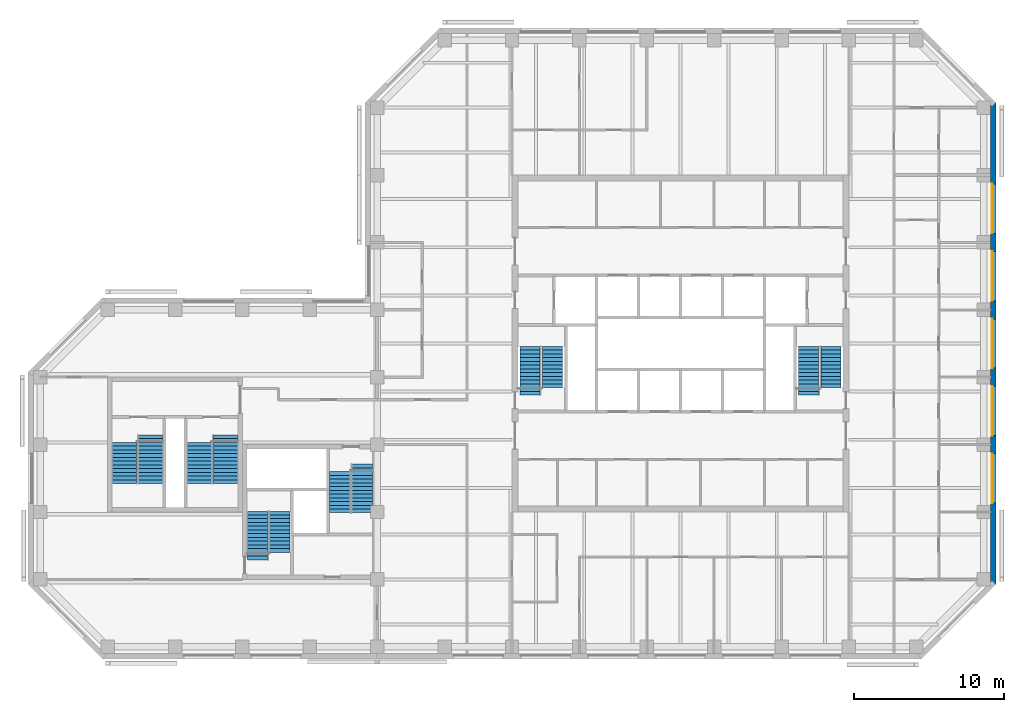
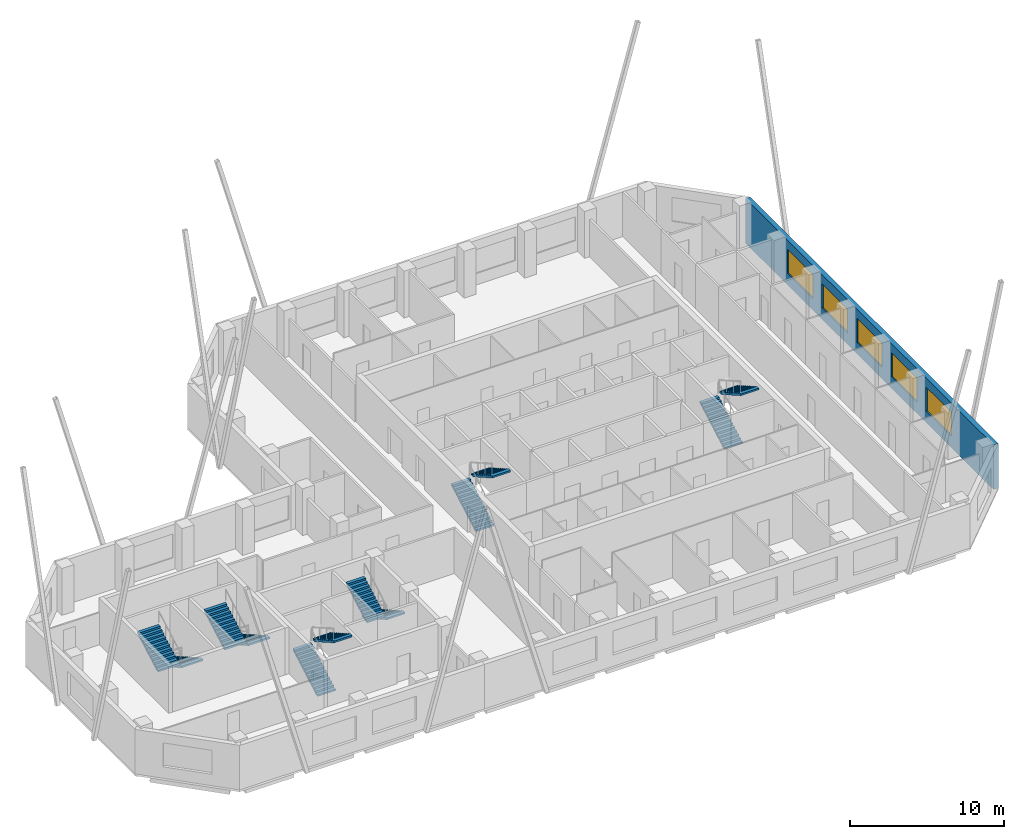
# One storey, part 8 of 9: 12 stair flights, 5 windows, 1 wall, 5 openings, 6 elements without a shape of their own.
"""IFC4 building model written with IfcOpenShell, lengths in metres."""

from ifc_helpers import new_model, si_unit, direction, frame, frame_2d, origin, place, context, subcontext, project, spatial, polyline, rectangle, outline, extrude, material, layer, layer_set, constituent, constituent_set, type_object, element, fill, aggregate, save


model = new_model("IFC4")

# Units and contexts
model_context = context("Model", 3, precision=1e-05, world=origin(), true_north=direction((0.0, 1.0)))
body_context = subcontext(model_context, "Body", "Model", "MODEL_VIEW")
ifc_project = project(units=[si_unit("LENGTHUNIT", "METRE"), si_unit("AREAUNIT", "SQUARE_METRE"), si_unit("VOLUMEUNIT", "CUBIC_METRE"), si_unit("PLANEANGLEUNIT", "RADIAN"), si_unit("MASSUNIT", "GRAM", prefix="KILO")], contexts=[model_context])

# Site, building, storey
site_placement = place(None, origin())
site = spatial("IfcSite", under=ifc_project, at=site_placement, CompositionType="ELEMENT")
building_placement = place(site_placement, origin())
building = spatial("IfcBuilding", under=site, at=building_placement, Name="Quoin Convention Tower", CompositionType="ELEMENT")
storey_placement = place(building_placement, frame((0.0, 0.0, 203.199951171875)))
storey = spatial("IfcBuildingStorey", under=building, at=storey_placement, Name="L53", CompositionType="ELEMENT", Elevation=203.199951171875)

# Wall, openings, windows
ifc_material_1 = material(Name="Brick masonry", Category="masonry")
ifc_layer = layer(ifc_material_1, 0.35009765625)
ifc_layer_set = layer_set([ifc_layer], Name="Brick masonry")
wall_type = type_object("IfcWallType", Name="Brick facade wall", PredefinedType="STANDARD", material=ifc_layer_set)
wall_placement = place(storey_placement, frame((77.125, 44.668701171875, 0.0), z_axis=(0.0, 0.0, 1.0), x_axis=(0.0, 1.0, 0.0)))
wall = element("IfcWall", 1, at=wall_placement, inside=storey, type_object=wall_type, Name="fw-L53-76500_45000", PredefinedType="STANDARD", context=body_context, shape_type="SweptSolid", body=[
    extrude(rectangle(XDim=32.16259765625, YDim=0.35009765625, at=frame_2d((16.081298828125, 0.0))), origin(), (0.0, 0.0, 1.0), 3.525146484375),
])
opening_1_placement = place(wall_placement, frame((5.431396484375, 0.0, 0.89990234375)))
opening_1 = element("IfcOpeningElement", 2, at=opening_1_placement, cuts=wall, Name="Opening W-02", PredefinedType="OPENING", context=body_context, shape_type="SweptSolid", body=[
    extrude(rectangle(XDim=3.300048828125, YDim=1.89990234375, at=frame_2d((1.64990234375, 0.949951171875))), frame((0.0, 0.18505859375, 0.0), z_axis=(0.0, -1.0, 0.0), x_axis=(1.0, 0.0, 0.0)), (0.0, 0.0, 1.0), 0.3701171875),
])
opening_2_placement = place(wall_placement, frame((9.931396484375, 0.0, 0.89990234375)))
opening_2 = element("IfcOpeningElement", 3, at=opening_2_placement, cuts=wall, Name="Opening W-02", PredefinedType="OPENING", context=body_context, shape_type="SweptSolid", body=[
    extrude(rectangle(XDim=3.300048828125, YDim=1.89990234375, at=frame_2d((1.64990234375, 0.949951171875))), frame((0.0, 0.18505859375, 0.0), z_axis=(0.0, -1.0, 0.0), x_axis=(1.0, 0.0, 0.0)), (0.0, 0.0, 1.0), 0.3701171875),
])
opening_3_placement = place(wall_placement, frame((14.431396484375, 0.0, 0.89990234375)))
opening_3 = element("IfcOpeningElement", 4, at=opening_3_placement, cuts=wall, Name="Opening W-02", PredefinedType="OPENING", context=body_context, shape_type="SweptSolid", body=[
    extrude(rectangle(XDim=3.300048828125, YDim=1.89990234375, at=frame_2d((1.64990234375, 0.949951171875))), frame((0.0, 0.18505859375, 0.0), z_axis=(0.0, -1.0, 0.0), x_axis=(1.0, 0.0, 0.0)), (0.0, 0.0, 1.0), 0.3701171875),
])
opening_4_placement = place(wall_placement, frame((18.931396484375, 0.0, 0.89990234375)))
opening_4 = element("IfcOpeningElement", 5, at=opening_4_placement, cuts=wall, Name="Opening W-02", PredefinedType="OPENING", context=body_context, shape_type="SweptSolid", body=[
    extrude(rectangle(XDim=3.300048828125, YDim=1.89990234375, at=frame_2d((1.64990234375, 0.949951171875))), frame((0.0, 0.18505859375, 0.0), z_axis=(0.0, -1.0, 0.0), x_axis=(1.0, 0.0, 0.0)), (0.0, 0.0, 1.0), 0.3701171875),
])
opening_5_placement = place(wall_placement, frame((23.431396484375, 0.0, 0.89990234375)))
opening_5 = element("IfcOpeningElement", 6, at=opening_5_placement, cuts=wall, Name="Opening W-02", PredefinedType="OPENING", context=body_context, shape_type="SweptSolid", body=[
    extrude(rectangle(XDim=3.300048828125, YDim=1.89990234375, at=frame_2d((1.64990234375, 0.949951171875))), frame((0.0, 0.18505859375, 0.0), z_axis=(0.0, -1.0, 0.0), x_axis=(1.0, 0.0, 0.0)), (0.0, 0.0, 1.0), 0.3701171875),
])
ifc_material_2 = material(Name="Aluminium", Category="aluminium")
ifc_constituent_1 = constituent(ifc_material_2, Name="Frame")
ifc_material_3 = material(Name="Insulated glass", Category="glass")
ifc_constituent_2 = constituent(ifc_material_3, Name="Glazing")
ifc_constituent_set = constituent_set(constituents=[ifc_constituent_1, ifc_constituent_2], Name="Aluminium")
window_type = type_object("IfcWindowType", Name="Office window", PartitioningType="DOUBLE_PANEL_VERTICAL", PredefinedType="WINDOW", material=ifc_constituent_set)
window_1_placement = place(opening_1_placement, origin())
window_1 = element("IfcWindow", 7, at=window_1_placement, inside=storey, type_object=window_type, Name="win-L53-77125_51750", OverallHeight=1.89990234375, OverallWidth=3.300048828125, PartitioningType="SINGLE_PANEL", PredefinedType="WINDOW", context=body_context, shape_type="SweptSolid", body=[
    extrude(rectangle(XDim=3.300048828125, YDim=1.89990234375, at=frame_2d((1.64990234375, 0.949951171875))), frame((0.0, 0.0849609375, 0.0), z_axis=(0.0, -1.0, 0.0), x_axis=(1.0, 0.0, 0.0)), (0.0, 0.0, 1.0), 0.06005859375),
])
fill(opening_1, window_1)
window_2_placement = place(opening_2_placement, origin())
window_2 = element("IfcWindow", 8, at=window_2_placement, inside=storey, type_object=window_type, Name="win-L53-77125_56250", OverallHeight=1.89990234375, OverallWidth=3.300048828125, PartitioningType="SINGLE_PANEL", PredefinedType="WINDOW", context=body_context, shape_type="SweptSolid", body=[
    extrude(rectangle(XDim=3.300048828125, YDim=1.89990234375, at=frame_2d((1.64990234375, 0.949951171875))), frame((0.0, 0.0849609375, 0.0), z_axis=(0.0, -1.0, 0.0), x_axis=(1.0, 0.0, 0.0)), (0.0, 0.0, 1.0), 0.06005859375),
])
fill(opening_2, window_2)
window_3_placement = place(opening_3_placement, origin())
window_3 = element("IfcWindow", 9, at=window_3_placement, inside=storey, type_object=window_type, Name="win-L53-77125_60750", OverallHeight=1.89990234375, OverallWidth=3.300048828125, PartitioningType="SINGLE_PANEL", PredefinedType="WINDOW", context=body_context, shape_type="SweptSolid", body=[
    extrude(rectangle(XDim=3.300048828125, YDim=1.89990234375, at=frame_2d((1.64990234375, 0.949951171875))), frame((0.0, 0.0849609375, 0.0), z_axis=(0.0, -1.0, 0.0), x_axis=(1.0, 0.0, 0.0)), (0.0, 0.0, 1.0), 0.06005859375),
])
fill(opening_3, window_3)
window_4_placement = place(opening_4_placement, origin())
window_4 = element("IfcWindow", 10, at=window_4_placement, inside=storey, type_object=window_type, Name="win-L53-77125_65250", OverallHeight=1.89990234375, OverallWidth=3.300048828125, PartitioningType="SINGLE_PANEL", PredefinedType="WINDOW", context=body_context, shape_type="SweptSolid", body=[
    extrude(rectangle(XDim=3.300048828125, YDim=1.89990234375, at=frame_2d((1.64990234375, 0.949951171875))), frame((0.0, 0.0849609375, 0.0), z_axis=(0.0, -1.0, 0.0), x_axis=(1.0, 0.0, 0.0)), (0.0, 0.0, 1.0), 0.06005859375),
])
fill(opening_4, window_4)
window_5_placement = place(opening_5_placement, origin())
window_5 = element("IfcWindow", 11, at=window_5_placement, inside=storey, type_object=window_type, Name="win-L53-77125_69750", OverallHeight=1.89990234375, OverallWidth=3.300048828125, PartitioningType="SINGLE_PANEL", PredefinedType="WINDOW", context=body_context, shape_type="SweptSolid", body=[
    extrude(rectangle(XDim=3.300048828125, YDim=1.89990234375, at=frame_2d((1.64990234375, 0.949951171875))), frame((0.0, 0.0849609375, 0.0), z_axis=(0.0, -1.0, 0.0), x_axis=(1.0, 0.0, 0.0)), (0.0, 0.0, 1.0), 0.06005859375),
])
fill(opening_5, window_5)

# Stair, stair flights
ifc_material_4 = material(Name="Concrete C40", Category="concrete")
stair_type_1 = type_object("IfcStairType", Name="Exit stair two-flight 1350", PredefinedType="HALF_TURN_STAIR", material=ifc_material_4)
stair_1_placement = place(storey_placement, origin())
stair_1 = element("IfcStair", 12, at=stair_1_placement, inside=storey, type_object=stair_type_1, Name="SD1 L53", PredefinedType="HALF_TURN_STAIR")
stair_flight_type_1 = type_object("IfcStairFlightType", Name="Stair flight 1350", PredefinedType="STRAIGHT", material=ifc_material_4)
stair_flight_1_placement = place(storey_placement, frame((46.199951171875, 57.300048828125, 0.0), z_axis=(0.0, 0.0, 1.0), x_axis=(0.0, 1.0, 0.0)))
stair_flight_1 = element("IfcStairFlight", 13, at=stair_flight_1_placement, type_object=stair_flight_type_1, Name="ST1 flight 1", NumberOfRisers=14, NumberOfTreads=13, PredefinedType="STRAIGHT", RiserHeight=0.142307692, TreadLength=0.25, context=body_context, shape_type="SweptSolid", body=[
    extrude(outline(polyline([(0.0, 0.0), (0.0, 0.142333984375), (0.25, 0.142333984375), (0.25, 0.28466796875), (0.5, 0.28466796875), (0.5, 0.427001953125), (0.75, 0.427001953125), (0.75, 0.5693359375), (1.0, 0.5693359375), (1.0, 0.71142578125), (1.25, 0.71142578125), (1.25, 0.853759765625), (1.5, 0.853759765625), (1.5, 0.99609375), (1.75, 0.99609375), (1.75, 1.138427734375), (2.0, 1.138427734375), (2.0, 1.28076171875), (2.25, 1.28076171875), (2.25, 1.423095703125), (2.5, 1.423095703125), (2.5, 1.5654296875), (2.75, 1.5654296875), (2.75, 1.707763671875), (3.0, 1.707763671875), (3.0, 1.85009765625), (3.25, 1.85009765625), (3.25, 1.9921875), (3.25, 1.711669921875), (0.242919921875, 0.0), (0.0, 0.0)])), frame((0.0, 0.675048828125, 0.0), z_axis=(0.0, -1.0, 0.0), x_axis=(1.0, 0.0, 0.0)), (0.0, 0.0, 1.0), 1.35009765625),
])
stair_flight_2_placement = place(storey_placement, frame((47.699951171875, 60.550048828125, 1.992431640625), z_axis=(0.0, 0.0, 1.0), x_axis=(0.0, -1.0, 0.0)))
stair_flight_2 = element("IfcStairFlight", 14, at=stair_flight_2_placement, type_object=stair_flight_type_1, Name="ST1 flight 2", NumberOfRisers=12, NumberOfTreads=11, PredefinedType="STRAIGHT", RiserHeight=0.142307692, TreadLength=0.25, context=body_context, shape_type="SweptSolid", body=[
    extrude(outline(polyline([(0.0, 0.0), (0.0, 0.142333984375), (0.25, 0.142333984375), (0.25, 0.28466796875), (0.5, 0.28466796875), (0.5, 0.427001953125), (0.75, 0.427001953125), (0.75, 0.5693359375), (1.0, 0.5693359375), (1.0, 0.71142578125), (1.25, 0.71142578125), (1.25, 0.853759765625), (1.5, 0.853759765625), (1.5, 0.99609375), (1.75, 0.99609375), (1.75, 1.138427734375), (2.0, 1.138427734375), (2.0, 1.28076171875), (2.25, 1.28076171875), (2.25, 1.423095703125), (2.5, 1.423095703125), (2.5, 1.5654296875), (2.75, 1.5654296875), (2.75, 1.707763671875), (2.75, 1.42724609375), (0.242919921875, 0.0), (0.0, 0.0)])), frame((0.0, 0.675048828125, 0.0), z_axis=(0.0, -1.0, 0.0), x_axis=(1.0, 0.0, 0.0)), (0.0, 0.0, 1.0), 1.35009765625),
])
aggregate(stair_1, [stair_flight_1, stair_flight_2])

stair_2_placement = place(storey_placement, origin())
stair_2 = element("IfcStair", 15, at=stair_2_placement, inside=storey, type_object=stair_type_1, Name="SD2 L53", PredefinedType="HALF_TURN_STAIR")
stair_flight_3_placement = place(storey_placement, frame((64.800048828125, 57.300048828125, 0.0), z_axis=(0.0, 0.0, 1.0), x_axis=(0.0, 1.0, 0.0)))
stair_flight_3 = element("IfcStairFlight", 16, at=stair_flight_3_placement, type_object=stair_flight_type_1, Name="ST2 flight 1", NumberOfRisers=14, NumberOfTreads=13, PredefinedType="STRAIGHT", RiserHeight=0.142307692, TreadLength=0.25, context=body_context, shape_type="SweptSolid", body=[
    extrude(outline(polyline([(0.0, 0.0), (0.0, 0.142333984375), (0.25, 0.142333984375), (0.25, 0.28466796875), (0.5, 0.28466796875), (0.5, 0.427001953125), (0.75, 0.427001953125), (0.75, 0.5693359375), (1.0, 0.5693359375), (1.0, 0.71142578125), (1.25, 0.71142578125), (1.25, 0.853759765625), (1.5, 0.853759765625), (1.5, 0.99609375), (1.75, 0.99609375), (1.75, 1.138427734375), (2.0, 1.138427734375), (2.0, 1.28076171875), (2.25, 1.28076171875), (2.25, 1.423095703125), (2.5, 1.423095703125), (2.5, 1.5654296875), (2.75, 1.5654296875), (2.75, 1.707763671875), (3.0, 1.707763671875), (3.0, 1.85009765625), (3.25, 1.85009765625), (3.25, 1.9921875), (3.25, 1.711669921875), (0.242919921875, 0.0), (0.0, 0.0)])), frame((0.0, 0.675048828125, 0.0), z_axis=(0.0, -1.0, 0.0), x_axis=(1.0, 0.0, 0.0)), (0.0, 0.0, 1.0), 1.35009765625),
])
stair_flight_4_placement = place(storey_placement, frame((66.300048828125, 60.550048828125, 1.992431640625), z_axis=(0.0, 0.0, 1.0), x_axis=(0.0, -1.0, 0.0)))
stair_flight_4 = element("IfcStairFlight", 17, at=stair_flight_4_placement, type_object=stair_flight_type_1, Name="ST2 flight 2", NumberOfRisers=12, NumberOfTreads=11, PredefinedType="STRAIGHT", RiserHeight=0.142307692, TreadLength=0.25, context=body_context, shape_type="SweptSolid", body=[
    extrude(outline(polyline([(0.0, 0.0), (0.0, 0.142333984375), (0.25, 0.142333984375), (0.25, 0.28466796875), (0.5, 0.28466796875), (0.5, 0.427001953125), (0.75, 0.427001953125), (0.75, 0.5693359375), (1.0, 0.5693359375), (1.0, 0.71142578125), (1.25, 0.71142578125), (1.25, 0.853759765625), (1.5, 0.853759765625), (1.5, 0.99609375), (1.75, 0.99609375), (1.75, 1.138427734375), (2.0, 1.138427734375), (2.0, 1.28076171875), (2.25, 1.28076171875), (2.25, 1.423095703125), (2.5, 1.423095703125), (2.5, 1.5654296875), (2.75, 1.5654296875), (2.75, 1.707763671875), (2.75, 1.42724609375), (0.242919921875, 0.0), (0.0, 0.0)])), frame((0.0, 0.675048828125, 0.0), z_axis=(0.0, -1.0, 0.0), x_axis=(1.0, 0.0, 0.0)), (0.0, 0.0, 1.0), 1.35009765625),
])
aggregate(stair_2, [stair_flight_3, stair_flight_4])

stair_3_placement = place(storey_placement, origin())
stair_3 = element("IfcStair", 18, at=stair_3_placement, inside=storey, type_object=stair_type_1, Name="SD3 L53", PredefinedType="HALF_TURN_STAIR")
stair_flight_5_placement = place(storey_placement, frame((28.0, 46.300048828125, 0.0), z_axis=(0.0, 0.0, 1.0), x_axis=(0.0, 1.0, 0.0)))
stair_flight_5 = element("IfcStairFlight", 19, at=stair_flight_5_placement, type_object=stair_flight_type_1, Name="ST3 flight 1", NumberOfRisers=14, NumberOfTreads=13, PredefinedType="STRAIGHT", RiserHeight=0.142307692, TreadLength=0.25, context=body_context, shape_type="SweptSolid", body=[
    extrude(outline(polyline([(0.0, 0.0), (0.0, 0.142333984375), (0.25, 0.142333984375), (0.25, 0.28466796875), (0.5, 0.28466796875), (0.5, 0.427001953125), (0.75, 0.427001953125), (0.75, 0.5693359375), (1.0, 0.5693359375), (1.0, 0.71142578125), (1.25, 0.71142578125), (1.25, 0.853759765625), (1.5, 0.853759765625), (1.5, 0.99609375), (1.75, 0.99609375), (1.75, 1.138427734375), (2.0, 1.138427734375), (2.0, 1.28076171875), (2.25, 1.28076171875), (2.25, 1.423095703125), (2.5, 1.423095703125), (2.5, 1.5654296875), (2.75, 1.5654296875), (2.75, 1.707763671875), (3.0, 1.707763671875), (3.0, 1.85009765625), (3.25, 1.85009765625), (3.25, 1.9921875), (3.25, 1.711669921875), (0.242919921875, 0.0), (0.0, 0.0)])), frame((0.0, 0.675048828125, 0.0), z_axis=(0.0, -1.0, 0.0), x_axis=(1.0, 0.0, 0.0)), (0.0, 0.0, 1.0), 1.35009765625),
])
stair_flight_6_placement = place(storey_placement, frame((29.5, 49.550048828125, 1.992431640625), z_axis=(0.0, 0.0, 1.0), x_axis=(0.0, -1.0, 0.0)))
stair_flight_6 = element("IfcStairFlight", 20, at=stair_flight_6_placement, type_object=stair_flight_type_1, Name="ST3 flight 2", NumberOfRisers=12, NumberOfTreads=11, PredefinedType="STRAIGHT", RiserHeight=0.142307692, TreadLength=0.25, context=body_context, shape_type="SweptSolid", body=[
    extrude(outline(polyline([(0.0, 0.0), (0.0, 0.142333984375), (0.25, 0.142333984375), (0.25, 0.28466796875), (0.5, 0.28466796875), (0.5, 0.427001953125), (0.75, 0.427001953125), (0.75, 0.5693359375), (1.0, 0.5693359375), (1.0, 0.71142578125), (1.25, 0.71142578125), (1.25, 0.853759765625), (1.5, 0.853759765625), (1.5, 0.99609375), (1.75, 0.99609375), (1.75, 1.138427734375), (2.0, 1.138427734375), (2.0, 1.28076171875), (2.25, 1.28076171875), (2.25, 1.423095703125), (2.5, 1.423095703125), (2.5, 1.5654296875), (2.75, 1.5654296875), (2.75, 1.707763671875), (2.75, 1.42724609375), (0.242919921875, 0.0), (0.0, 0.0)])), frame((0.0, 0.675048828125, 0.0), z_axis=(0.0, -1.0, 0.0), x_axis=(1.0, 0.0, 0.0)), (0.0, 0.0, 1.0), 1.35009765625),
])
aggregate(stair_3, [stair_flight_5, stair_flight_6])

stair_4_placement = place(storey_placement, origin())
stair_4 = element("IfcStair", 21, at=stair_4_placement, inside=storey, type_object=stair_type_1, Name="SD4 L53", PredefinedType="HALF_TURN_STAIR")
stair_flight_7_placement = place(storey_placement, frame((35.0, 52.699951171875, 0.0), z_axis=(0.0, 0.0, 1.0), x_axis=(0.0, -1.0, 0.0)))
stair_flight_7 = element("IfcStairFlight", 22, at=stair_flight_7_placement, type_object=stair_flight_type_1, Name="ST4 flight 1", NumberOfRisers=14, NumberOfTreads=13, PredefinedType="STRAIGHT", RiserHeight=0.142307692, TreadLength=0.25, context=body_context, shape_type="SweptSolid", body=[
    extrude(outline(polyline([(0.0, 0.0), (0.0, 0.142333984375), (0.25, 0.142333984375), (0.25, 0.28466796875), (0.5, 0.28466796875), (0.5, 0.427001953125), (0.75, 0.427001953125), (0.75, 0.5693359375), (1.0, 0.5693359375), (1.0, 0.71142578125), (1.25, 0.71142578125), (1.25, 0.853759765625), (1.5, 0.853759765625), (1.5, 0.99609375), (1.75, 0.99609375), (1.75, 1.138427734375), (2.0, 1.138427734375), (2.0, 1.28076171875), (2.25, 1.28076171875), (2.25, 1.423095703125), (2.5, 1.423095703125), (2.5, 1.5654296875), (2.75, 1.5654296875), (2.75, 1.707763671875), (3.0, 1.707763671875), (3.0, 1.85009765625), (3.25, 1.85009765625), (3.25, 1.9921875), (3.25, 1.711669921875), (0.242919921875, 0.0), (0.0, 0.0)])), frame((0.0, 0.675048828125, 0.0), z_axis=(0.0, -1.0, 0.0), x_axis=(1.0, 0.0, 0.0)), (0.0, 0.0, 1.0), 1.35009765625),
])
stair_flight_8_placement = place(storey_placement, frame((33.5, 49.449951171875, 1.992431640625), z_axis=(0.0, 0.0, 1.0), x_axis=(0.0, 1.0, 0.0)))
stair_flight_8 = element("IfcStairFlight", 23, at=stair_flight_8_placement, type_object=stair_flight_type_1, Name="ST4 flight 2", NumberOfRisers=12, NumberOfTreads=11, PredefinedType="STRAIGHT", RiserHeight=0.142307692, TreadLength=0.25, context=body_context, shape_type="SweptSolid", body=[
    extrude(outline(polyline([(0.0, 0.0), (0.0, 0.142333984375), (0.25, 0.142333984375), (0.25, 0.28466796875), (0.5, 0.28466796875), (0.5, 0.427001953125), (0.75, 0.427001953125), (0.75, 0.5693359375), (1.0, 0.5693359375), (1.0, 0.71142578125), (1.25, 0.71142578125), (1.25, 0.853759765625), (1.5, 0.853759765625), (1.5, 0.99609375), (1.75, 0.99609375), (1.75, 1.138427734375), (2.0, 1.138427734375), (2.0, 1.28076171875), (2.25, 1.28076171875), (2.25, 1.423095703125), (2.5, 1.423095703125), (2.5, 1.5654296875), (2.75, 1.5654296875), (2.75, 1.707763671875), (2.75, 1.42724609375), (0.242919921875, 0.0), (0.0, 0.0)])), frame((0.0, 0.675048828125, 0.0), z_axis=(0.0, -1.0, 0.0), x_axis=(1.0, 0.0, 0.0)), (0.0, 0.0, 1.0), 1.35009765625),
])
aggregate(stair_4, [stair_flight_7, stair_flight_8])

stair_type_2 = type_object("IfcStairType", Name="Exit stair two-flight 1600", PredefinedType="HALF_TURN_STAIR", material=ifc_material_4)
stair_5_placement = place(storey_placement, origin())
stair_5 = element("IfcStair", 24, at=stair_5_placement, inside=storey, type_object=stair_type_2, Name="SD11 L53", PredefinedType="HALF_TURN_STAIR")
stair_flight_type_2 = type_object("IfcStairFlightType", Name="Stair flight 1600", PredefinedType="STRAIGHT", material=ifc_material_4)
stair_flight_9_placement = place(storey_placement, frame((20.875, 54.64990234375, 0.0), z_axis=(0.0, 0.0, 1.0), x_axis=(0.0, -1.0, 0.0)))
stair_flight_9 = element("IfcStairFlight", 25, at=stair_flight_9_placement, type_object=stair_flight_type_2, Name="ST11 flight 1", NumberOfRisers=14, NumberOfTreads=13, PredefinedType="STRAIGHT", RiserHeight=0.142307692, TreadLength=0.25, context=body_context, shape_type="SweptSolid", body=[
    extrude(outline(polyline([(0.0, 0.0), (0.0, 0.142333984375), (0.25, 0.142333984375), (0.25, 0.28466796875), (0.5, 0.28466796875), (0.5, 0.427001953125), (0.75, 0.427001953125), (0.75, 0.5693359375), (1.0, 0.5693359375), (1.0, 0.71142578125), (1.25, 0.71142578125), (1.25, 0.853759765625), (1.5, 0.853759765625), (1.5, 0.99609375), (1.75, 0.99609375), (1.75, 1.138427734375), (2.0, 1.138427734375), (2.0, 1.28076171875), (2.25, 1.28076171875), (2.25, 1.423095703125), (2.5, 1.423095703125), (2.5, 1.5654296875), (2.75, 1.5654296875), (2.75, 1.707763671875), (3.0, 1.707763671875), (3.0, 1.85009765625), (3.25, 1.85009765625), (3.25, 1.9921875), (3.25, 1.711669921875), (0.242919921875, 0.0), (0.0, 0.0)])), frame((0.0, 0.800048828125, 0.0), z_axis=(0.0, -1.0, 0.0), x_axis=(1.0, 0.0, 0.0)), (0.0, 0.0, 1.0), 1.60009765625),
])
stair_flight_10_placement = place(storey_placement, frame((19.125, 51.39990234375, 1.992431640625), z_axis=(0.0, 0.0, 1.0), x_axis=(0.0, 1.0, 0.0)))
stair_flight_10 = element("IfcStairFlight", 26, at=stair_flight_10_placement, type_object=stair_flight_type_2, Name="ST11 flight 2", NumberOfRisers=12, NumberOfTreads=11, PredefinedType="STRAIGHT", RiserHeight=0.142307692, TreadLength=0.25, context=body_context, shape_type="SweptSolid", body=[
    extrude(outline(polyline([(0.0, 0.0), (0.0, 0.142333984375), (0.25, 0.142333984375), (0.25, 0.28466796875), (0.5, 0.28466796875), (0.5, 0.427001953125), (0.75, 0.427001953125), (0.75, 0.5693359375), (1.0, 0.5693359375), (1.0, 0.71142578125), (1.25, 0.71142578125), (1.25, 0.853759765625), (1.5, 0.853759765625), (1.5, 0.99609375), (1.75, 0.99609375), (1.75, 1.138427734375), (2.0, 1.138427734375), (2.0, 1.28076171875), (2.25, 1.28076171875), (2.25, 1.423095703125), (2.5, 1.423095703125), (2.5, 1.5654296875), (2.75, 1.5654296875), (2.75, 1.707763671875), (2.75, 1.42724609375), (0.242919921875, 0.0), (0.0, 0.0)])), frame((0.0, 0.800048828125, 0.0), z_axis=(0.0, -1.0, 0.0), x_axis=(1.0, 0.0, 0.0)), (0.0, 0.0, 1.0), 1.60009765625),
])
aggregate(stair_5, [stair_flight_9, stair_flight_10])

stair_6_placement = place(storey_placement, origin())
stair_6 = element("IfcStair", 27, at=stair_6_placement, inside=storey, type_object=stair_type_2, Name="SD12 L53", PredefinedType="HALF_TURN_STAIR")
stair_flight_11_placement = place(storey_placement, frame((25.875, 54.64990234375, 0.0), z_axis=(0.0, 0.0, 1.0), x_axis=(0.0, -1.0, 0.0)))
stair_flight_11 = element("IfcStairFlight", 28, at=stair_flight_11_placement, type_object=stair_flight_type_2, Name="ST12 flight 1", NumberOfRisers=14, NumberOfTreads=13, PredefinedType="STRAIGHT", RiserHeight=0.142307692, TreadLength=0.25, context=body_context, shape_type="SweptSolid", body=[
    extrude(outline(polyline([(0.0, 0.0), (0.0, 0.142333984375), (0.25, 0.142333984375), (0.25, 0.28466796875), (0.5, 0.28466796875), (0.5, 0.427001953125), (0.75, 0.427001953125), (0.75, 0.5693359375), (1.0, 0.5693359375), (1.0, 0.71142578125), (1.25, 0.71142578125), (1.25, 0.853759765625), (1.5, 0.853759765625), (1.5, 0.99609375), (1.75, 0.99609375), (1.75, 1.138427734375), (2.0, 1.138427734375), (2.0, 1.28076171875), (2.25, 1.28076171875), (2.25, 1.423095703125), (2.5, 1.423095703125), (2.5, 1.5654296875), (2.75, 1.5654296875), (2.75, 1.707763671875), (3.0, 1.707763671875), (3.0, 1.85009765625), (3.25, 1.85009765625), (3.25, 1.9921875), (3.25, 1.711669921875), (0.242919921875, 0.0), (0.0, 0.0)])), frame((0.0, 0.800048828125, 0.0), z_axis=(0.0, -1.0, 0.0), x_axis=(1.0, 0.0, 0.0)), (0.0, 0.0, 1.0), 1.60009765625),
])
stair_flight_12_placement = place(storey_placement, frame((24.125, 51.39990234375, 1.992431640625), z_axis=(0.0, 0.0, 1.0), x_axis=(0.0, 1.0, 0.0)))
stair_flight_12 = element("IfcStairFlight", 29, at=stair_flight_12_placement, type_object=stair_flight_type_2, Name="ST12 flight 2", NumberOfRisers=12, NumberOfTreads=11, PredefinedType="STRAIGHT", RiserHeight=0.142307692, TreadLength=0.25, context=body_context, shape_type="SweptSolid", body=[
    extrude(outline(polyline([(0.0, 0.0), (0.0, 0.142333984375), (0.25, 0.142333984375), (0.25, 0.28466796875), (0.5, 0.28466796875), (0.5, 0.427001953125), (0.75, 0.427001953125), (0.75, 0.5693359375), (1.0, 0.5693359375), (1.0, 0.71142578125), (1.25, 0.71142578125), (1.25, 0.853759765625), (1.5, 0.853759765625), (1.5, 0.99609375), (1.75, 0.99609375), (1.75, 1.138427734375), (2.0, 1.138427734375), (2.0, 1.28076171875), (2.25, 1.28076171875), (2.25, 1.423095703125), (2.5, 1.423095703125), (2.5, 1.5654296875), (2.75, 1.5654296875), (2.75, 1.707763671875), (2.75, 1.42724609375), (0.242919921875, 0.0), (0.0, 0.0)])), frame((0.0, 0.800048828125, 0.0), z_axis=(0.0, -1.0, 0.0), x_axis=(1.0, 0.0, 0.0)), (0.0, 0.0, 1.0), 1.60009765625),
])
aggregate(stair_6, [stair_flight_11, stair_flight_12])

save(model, "model.ifc")
